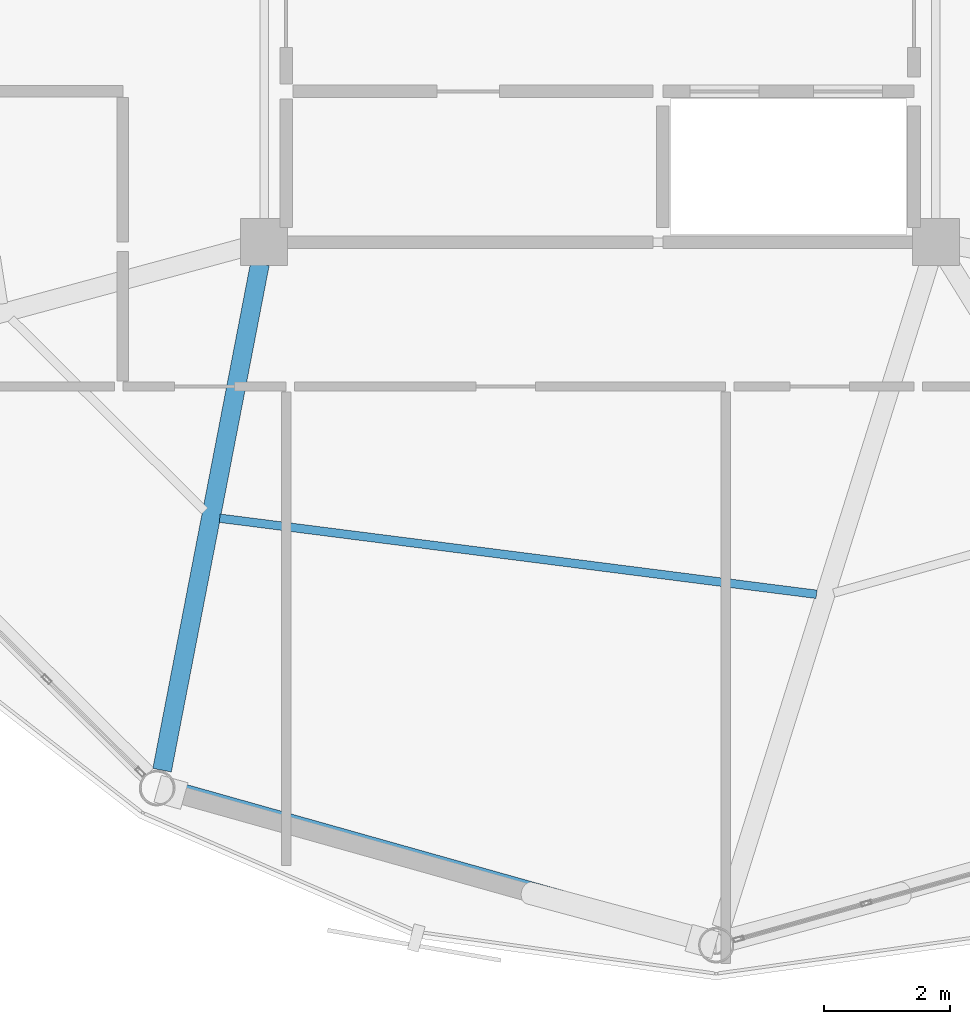
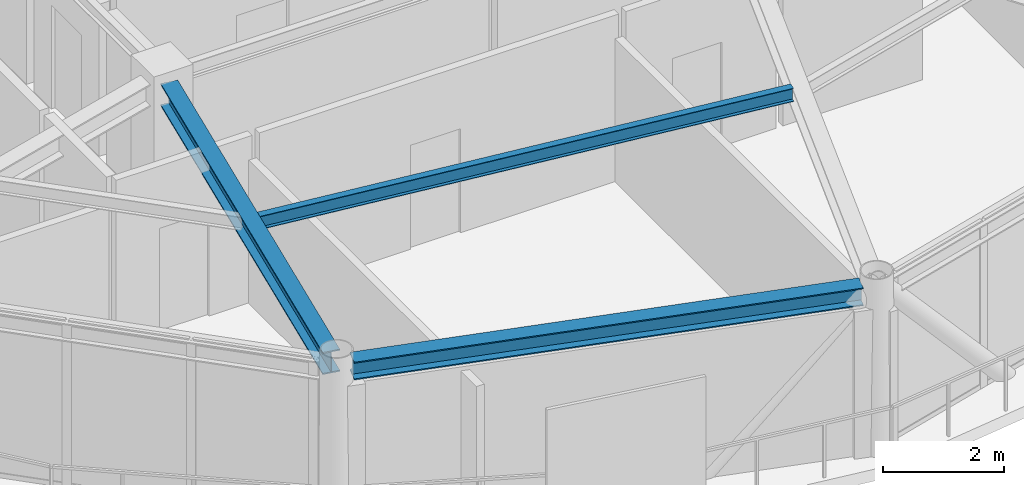
# One storey, part 3 of 25: 3 beams.
"""IFC4 building model written with IfcOpenShell, lengths in metres."""

from ifc_helpers import new_model, si_unit, direction, frame, origin, origin_2d, place, context, subcontext, project, spatial, i_section, extrude, material, material_profile, profile_set, type_object, element, save


model = new_model("IFC4")

# Units and contexts
model_context = context("Model", 3, precision=1e-05, world=origin(), true_north=direction((0.0, 1.0)))
body_context = subcontext(model_context, "Body", "Model", "MODEL_VIEW")
ifc_project = project(units=[si_unit("LENGTHUNIT", "METRE"), si_unit("AREAUNIT", "SQUARE_METRE"), si_unit("VOLUMEUNIT", "CUBIC_METRE"), si_unit("PLANEANGLEUNIT", "RADIAN"), si_unit("MASSUNIT", "GRAM", prefix="KILO")], contexts=[model_context])

# Site, building, storey
site_placement = place(None, origin())
site = spatial("IfcSite", under=ifc_project, at=site_placement, CompositionType="ELEMENT")
building_placement = place(site_placement, origin())
building = spatial("IfcBuilding", under=site, at=building_placement, Name="Varnakorn Sky Granary", CompositionType="ELEMENT")
storey_placement = place(building_placement, frame((0.0, 0.0, 277.800048828125)))
storey = spatial("IfcBuildingStorey", under=building, at=storey_placement, Name="L71", CompositionType="ELEMENT", Elevation=277.800048828125)

# Beams
ifc_material = material(Name="Steel S355JR", Category="steel")
ifc_material_profile_1 = material_profile(ifc_material, i_section(OverallWidth=0.300048828125, OverallDepth=0.449951171875, WebThickness=0.013916015625, FlangeThickness=0.02587890625, at=origin_2d()), Name="HE 450 B")
ifc_profile_set_1 = profile_set([ifc_material_profile_1], Name="Steel S355JR")
beam_type_1 = type_object("IfcBeamType", Name="BM-RAD-Z5", PredefinedType="BEAM", material=ifc_profile_set_1)
beam_1_placement = place(storey_placement, frame((-2.417236328125, -6.948486328125, 3.135009765625), z_axis=(-0.189685398447, -0.981844921368, 0.0), x_axis=(0.981844921368, -0.189685398447, 0.0)))
element("IfcBeam", 1, at=beam_1_placement, inside=storey, type_object=beam_type_1, Name="Radial Floor Girder RG09 L71", PredefinedType="BEAM", context=body_context, shape_type="SweptSolid", body=[
    extrude(i_section(OverallWidth=0.300048828125, OverallDepth=0.449951171875, WebThickness=0.013916015625, FlangeThickness=0.02587890625, at=origin_2d()), origin(), (0.0, 0.0, 1.0), 8.211669921875),
])
ifc_material_profile_2 = material_profile(ifc_material, i_section(OverallWidth=0.135009765625, OverallDepth=0.27001953125, WebThickness=0.006591796875, FlangeThickness=0.01025390625, at=origin_2d()), Name="IPE 270")
ifc_profile_set_2 = profile_set([ifc_material_profile_2], Name="Steel S355JR")
beam_type_2 = type_object("IfcBeamType", Name="BM-SEC-Z5", PredefinedType="BEAM", material=ifc_profile_set_2)
beam_2_placement = place(storey_placement, frame((-3.05712890625, -10.99755859375, 3.224853515625), z_axis=(0.991968699892, -0.126483589588, 0.0), x_axis=(0.126483589588, 0.991968699892, 0.0)))
element("IfcBeam", 2, at=beam_2_placement, inside=storey, type_object=beam_type_2, Name="Secondary Floor Chord Beam MSB09 L71", PredefinedType="BEAM", context=body_context, shape_type="SweptSolid", body=[
    extrude(i_section(OverallWidth=0.135009765625, OverallDepth=0.27001953125, WebThickness=0.006591796875, FlangeThickness=0.01025390625, at=origin_2d()), origin(), (0.0, 0.0, 1.0), 9.58154296875),
])
ifc_material_profile_3 = material_profile(ifc_material, i_section(OverallWidth=0.300048828125, OverallDepth=0.360107421875, WebThickness=0.012451171875, FlangeThickness=0.0224609375, at=origin_2d()), Name="HE 360 B")
ifc_profile_set_3 = profile_set([ifc_material_profile_3], Name="Steel S355JR")
beam_type_3 = type_object("IfcBeamType", Name="BM-SPD-Z5", PredefinedType="SPANDREL", material=ifc_profile_set_3)
beam_3_placement = place(storey_placement, frame((-3.7705078125, -15.34228515625, 3.179931640625), z_axis=(0.962618672341, -0.270860280699, 0.0), x_axis=(0.270860280699, 0.962618672341, 0.0)))
element("IfcBeam", 3, at=beam_3_placement, inside=storey, type_object=beam_type_3, Name="Perimeter Spandrel Ring Beam RB09 L71", PredefinedType="SPANDREL", context=body_context, shape_type="SweptSolid", body=[
    extrude(i_section(OverallWidth=0.300048828125, OverallDepth=0.360107421875, WebThickness=0.012451171875, FlangeThickness=0.0224609375, at=origin_2d()), origin(), (0.0, 0.0, 1.0), 8.69091796875),
])

save(model, "model.ifc")
